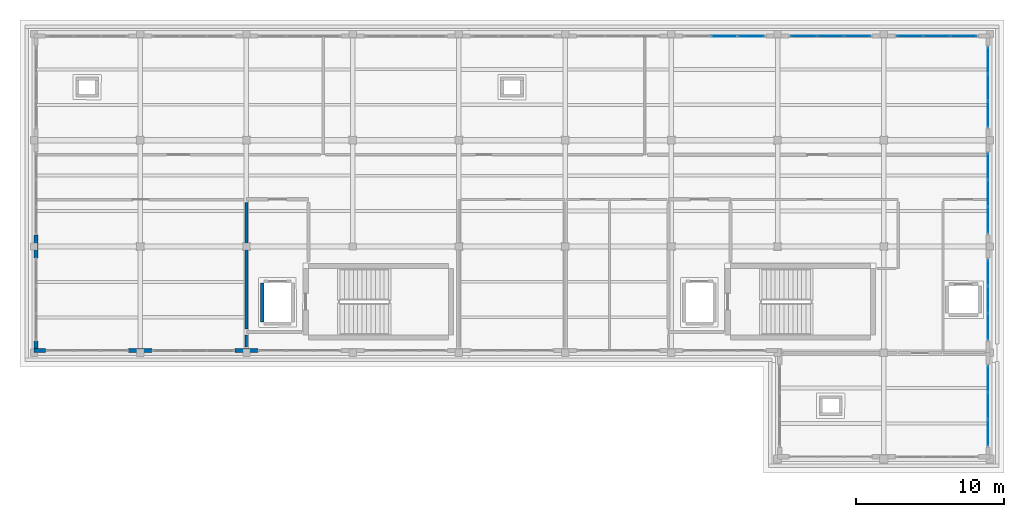
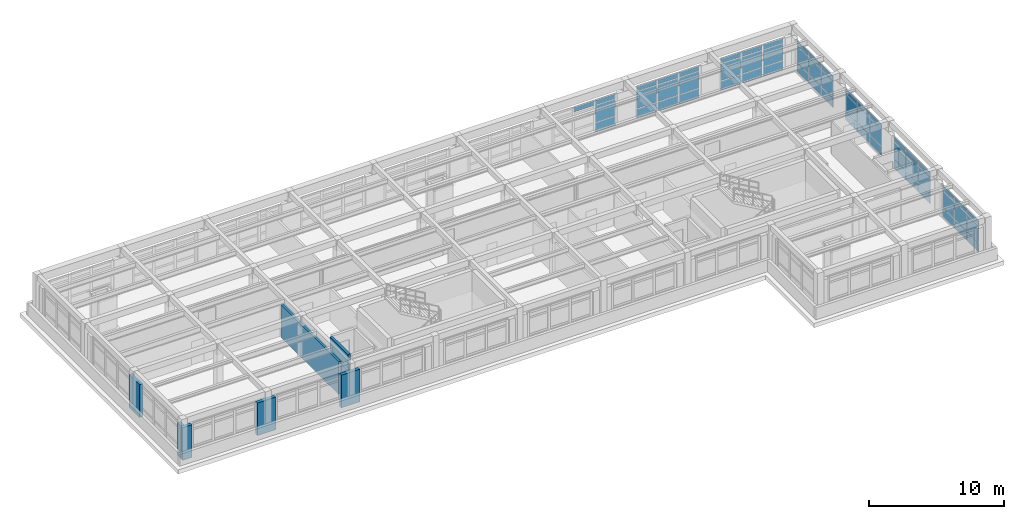
# One storey, part 14 of 20: 58 plates, 8 walls, 7 elements without a shape of their own.
"""IFC4 building model written with IfcOpenShell, lengths in metres."""

from ifc_helpers import new_model, si_unit, direction, frame, frame_2d, origin, origin_2d, place, context, subcontext, project, spatial, rectangle, extrude, material, layer, layer_set, type_object, element, aggregate, save


model = new_model("IFC4")

# Units and contexts
model_context = context("Model", 3, precision=1e-05, world=origin(), true_north=direction((0.0, 1.0)))
body_context = subcontext(model_context, "Body", "Model", "MODEL_VIEW")
ifc_project = project(units=[si_unit("LENGTHUNIT", "METRE"), si_unit("AREAUNIT", "SQUARE_METRE"), si_unit("VOLUMEUNIT", "CUBIC_METRE"), si_unit("PLANEANGLEUNIT", "RADIAN"), si_unit("MASSUNIT", "GRAM", prefix="KILO")], contexts=[model_context])

# Site, building, storey
site_placement = place(None, origin())
site = spatial("IfcSite", under=ifc_project, at=site_placement, CompositionType="ELEMENT")
building_placement = place(site_placement, origin())
building = spatial("IfcBuilding", under=site, at=building_placement, Name="Solenvale Faculty of Natural Sciences", CompositionType="ELEMENT")
storey_placement = place(building_placement, frame((0.0, 0.0, 35.39990234375)))
storey = spatial("IfcBuildingStorey", under=building, at=storey_placement, Name="L08", CompositionType="ELEMENT", Elevation=35.39990234375)

# Curtain wall, plates
ifc_material_1 = material(Name="Anodised bronze aluminium", Category="aluminium")
ifc_layer_1 = layer(ifc_material_1, 0.179931640625)
ifc_layer_set_1 = layer_set([ifc_layer_1], Name="Anodised bronze aluminium")
curtain_wall_type = type_object("IfcCurtainWallType", Name="CW-TWR-MOD", PredefinedType="USERDEFINED", material=ifc_layer_set_1)
curtain_wall_1_placement = place(storey_placement, origin())
curtain_wall_1 = element("IfcCurtainWall", 1, at=curtain_wall_1_placement, inside=storey, type_object=curtain_wall_type, Name="L08 Curtain Wall CW-L08-P1-E7-B1", ObjectType="UNITISED CURTAIN WALL", PredefinedType="USERDEFINED")
ifc_material_2 = material(Name="Triple low-E insulated glass", Category="glass")
ifc_layer_2 = layer(ifc_material_2, 0.031982421875)
ifc_layer_set_2 = layer_set([ifc_layer_2], Name="Triple low-E insulated glass")
plate_type_1 = type_object("IfcPlateType", Name="CWP-PNL-32", PredefinedType="CURTAIN_PANEL", material=ifc_layer_set_2)
plate_1_placement = place(storey_placement, frame((151.0576171875, 88.185302734375, 0.074951171875), z_axis=(0.0, 0.0, 1.0), x_axis=(0.0, 1.0, 0.0)))
plate_1 = element("IfcPlate", 2, at=plate_1_placement, type_object=plate_type_1, Name="CW-04 panel 1.1", PredefinedType="CURTAIN_PANEL", context=body_context, shape_type="SweptSolid", body=[
    extrude(rectangle(XDim=1.720947265625, YDim=0.031982421875, at=origin_2d()), origin(), (0.0, 0.0, 1.0), 0.78759765625),
])
plate_2_placement = place(storey_placement, frame((151.0576171875, 88.185302734375, 0.9375), z_axis=(0.0, 0.0, 1.0), x_axis=(0.0, 1.0, 0.0)))
plate_2 = element("IfcPlate", 3, at=plate_2_placement, type_object=plate_type_1, Name="CW-04 panel 1.2", PredefinedType="CURTAIN_PANEL", context=body_context, shape_type="SweptSolid", body=[
    extrude(rectangle(XDim=1.720947265625, YDim=0.031982421875, at=origin_2d()), origin(), (0.0, 0.0, 1.0), 1.485107421875),
])
plate_3_placement = place(storey_placement, frame((151.0576171875, 88.185302734375, 2.49755859375), z_axis=(0.0, 0.0, 1.0), x_axis=(0.0, 1.0, 0.0)))
plate_3 = element("IfcPlate", 4, at=plate_3_placement, type_object=plate_type_1, Name="CW-04 panel 1.3", PredefinedType="CURTAIN_PANEL", context=body_context, shape_type="SweptSolid", body=[
    extrude(rectangle(XDim=1.720947265625, YDim=0.031982421875, at=origin_2d()), origin(), (0.0, 0.0, 1.0), 0.387451171875),
])
plate_4_placement = place(storey_placement, frame((151.0576171875, 90.0, 0.074951171875), z_axis=(0.0, 0.0, 1.0), x_axis=(0.0, 1.0, 0.0)))
plate_4 = element("IfcPlate", 5, at=plate_4_placement, type_object=plate_type_1, Name="CW-04 panel 2.1", PredefinedType="CURTAIN_PANEL", context=body_context, shape_type="SweptSolid", body=[
    extrude(rectangle(XDim=1.75830078125, YDim=0.031982421875, at=origin_2d()), origin(), (0.0, 0.0, 1.0), 0.78759765625),
])
plate_5_placement = place(storey_placement, frame((151.0576171875, 90.0, 0.9375), z_axis=(0.0, 0.0, 1.0), x_axis=(0.0, 1.0, 0.0)))
plate_5 = element("IfcPlate", 6, at=plate_5_placement, type_object=plate_type_1, Name="CW-04 panel 2.2", PredefinedType="CURTAIN_PANEL", context=body_context, shape_type="SweptSolid", body=[
    extrude(rectangle(XDim=1.75830078125, YDim=0.031982421875, at=origin_2d()), origin(), (0.0, 0.0, 1.0), 1.485107421875),
])
plate_6_placement = place(storey_placement, frame((151.0576171875, 90.0, 2.49755859375), z_axis=(0.0, 0.0, 1.0), x_axis=(0.0, 1.0, 0.0)))
plate_6 = element("IfcPlate", 7, at=plate_6_placement, type_object=plate_type_1, Name="CW-04 panel 2.3", PredefinedType="CURTAIN_PANEL", context=body_context, shape_type="SweptSolid", body=[
    extrude(rectangle(XDim=1.75830078125, YDim=0.031982421875, at=origin_2d()), origin(), (0.0, 0.0, 1.0), 0.387451171875),
])
plate_7_placement = place(storey_placement, frame((151.0576171875, 91.814697265625, 0.074951171875), z_axis=(0.0, 0.0, 1.0), x_axis=(0.0, 1.0, 0.0)))
plate_7 = element("IfcPlate", 8, at=plate_7_placement, type_object=plate_type_1, Name="CW-04 panel 3.1", PredefinedType="CURTAIN_PANEL", context=body_context, shape_type="SweptSolid", body=[
    extrude(rectangle(XDim=1.720947265625, YDim=0.031982421875, at=origin_2d()), origin(), (0.0, 0.0, 1.0), 0.78759765625),
])
plate_8_placement = place(storey_placement, frame((151.0576171875, 91.814697265625, 0.9375), z_axis=(0.0, 0.0, 1.0), x_axis=(0.0, 1.0, 0.0)))
plate_8 = element("IfcPlate", 9, at=plate_8_placement, type_object=plate_type_1, Name="CW-04 panel 3.2", PredefinedType="CURTAIN_PANEL", context=body_context, shape_type="SweptSolid", body=[
    extrude(rectangle(XDim=1.720947265625, YDim=0.031982421875, at=origin_2d()), origin(), (0.0, 0.0, 1.0), 1.485107421875),
])
plate_9_placement = place(storey_placement, frame((151.0576171875, 91.814697265625, 2.49755859375), z_axis=(0.0, 0.0, 1.0), x_axis=(0.0, 1.0, 0.0)))
plate_9 = element("IfcPlate", 10, at=plate_9_placement, type_object=plate_type_1, Name="CW-04 panel 3.3", PredefinedType="CURTAIN_PANEL", context=body_context, shape_type="SweptSolid", body=[
    extrude(rectangle(XDim=1.720947265625, YDim=0.031982421875, at=origin_2d()), origin(), (0.0, 0.0, 1.0), 0.387451171875),
])
aggregate(curtain_wall_1, [plate_1, plate_2, plate_3, plate_4, plate_5, plate_6, plate_7, plate_8, plate_9])

curtain_wall_2_placement = place(storey_placement, origin())
curtain_wall_2 = element("IfcCurtainWall", 11, at=curtain_wall_2_placement, inside=storey, type_object=curtain_wall_type, Name="L08 Curtain Wall CW-L08-P1-E1-B1", ObjectType="UNITISED CURTAIN WALL", PredefinedType="USERDEFINED")
ifc_layer_3 = layer(ifc_material_2, 0.0400390625)
ifc_layer_set_3 = layer_set([ifc_layer_3], Name="Triple low-E insulated glass")
plate_type_2 = type_object("IfcPlateType", Name="CWP-PNL-40", PredefinedType="CURTAIN_PANEL", material=ifc_layer_set_3)
plate_10_placement = place(storey_placement, frame((151.0576171875, 95.385498046875, 0.074951171875), z_axis=(0.0, 0.0, 1.0), x_axis=(0.0, 1.0, 0.0)))
plate_10 = element("IfcPlate", 12, at=plate_10_placement, type_object=plate_type_2, Name="CW-04 panel 1.1", PredefinedType="CURTAIN_PANEL", context=body_context, shape_type="SweptSolid", body=[
    extrude(rectangle(XDim=1.720947265625, YDim=0.0400390625, at=origin_2d()), origin(), (0.0, 0.0, 1.0), 0.78759765625),
])
plate_11_placement = place(storey_placement, frame((151.0576171875, 95.385498046875, 0.9375), z_axis=(0.0, 0.0, 1.0), x_axis=(0.0, 1.0, 0.0)))
plate_11 = element("IfcPlate", 13, at=plate_11_placement, type_object=plate_type_2, Name="CW-04 panel 1.2", PredefinedType="CURTAIN_PANEL", context=body_context, shape_type="SweptSolid", body=[
    extrude(rectangle(XDim=1.720947265625, YDim=0.0400390625, at=origin_2d()), origin(), (0.0, 0.0, 1.0), 1.485107421875),
])
plate_12_placement = place(storey_placement, frame((151.0576171875, 95.385498046875, 2.49755859375), z_axis=(0.0, 0.0, 1.0), x_axis=(0.0, 1.0, 0.0)))
plate_12 = element("IfcPlate", 14, at=plate_12_placement, type_object=plate_type_2, Name="CW-04 panel 1.3", PredefinedType="CURTAIN_PANEL", context=body_context, shape_type="SweptSolid", body=[
    extrude(rectangle(XDim=1.720947265625, YDim=0.0400390625, at=origin_2d()), origin(), (0.0, 0.0, 1.0), 0.387451171875),
])
plate_13_placement = place(storey_placement, frame((151.0576171875, 97.199951171875, 0.074951171875), z_axis=(0.0, 0.0, 1.0), x_axis=(0.0, 1.0, 0.0)))
plate_13 = element("IfcPlate", 15, at=plate_13_placement, type_object=plate_type_2, Name="CW-04 panel 2.1", PredefinedType="CURTAIN_PANEL", context=body_context, shape_type="SweptSolid", body=[
    extrude(rectangle(XDim=1.75830078125, YDim=0.0400390625, at=origin_2d()), origin(), (0.0, 0.0, 1.0), 0.78759765625),
])
plate_14_placement = place(storey_placement, frame((151.0576171875, 97.199951171875, 0.9375), z_axis=(0.0, 0.0, 1.0), x_axis=(0.0, 1.0, 0.0)))
plate_14 = element("IfcPlate", 16, at=plate_14_placement, type_object=plate_type_2, Name="CW-04 panel 2.2", PredefinedType="CURTAIN_PANEL", context=body_context, shape_type="SweptSolid", body=[
    extrude(rectangle(XDim=1.75830078125, YDim=0.0400390625, at=origin_2d()), origin(), (0.0, 0.0, 1.0), 1.485107421875),
])
plate_15_placement = place(storey_placement, frame((151.0576171875, 97.199951171875, 2.49755859375), z_axis=(0.0, 0.0, 1.0), x_axis=(0.0, 1.0, 0.0)))
plate_15 = element("IfcPlate", 17, at=plate_15_placement, type_object=plate_type_2, Name="CW-04 panel 2.3", PredefinedType="CURTAIN_PANEL", context=body_context, shape_type="SweptSolid", body=[
    extrude(rectangle(XDim=1.75830078125, YDim=0.0400390625, at=origin_2d()), origin(), (0.0, 0.0, 1.0), 0.387451171875),
])
plate_16_placement = place(storey_placement, frame((151.0576171875, 99.0146484375, 0.074951171875), z_axis=(0.0, 0.0, 1.0), x_axis=(0.0, 1.0, 0.0)))
plate_16 = element("IfcPlate", 18, at=plate_16_placement, type_object=plate_type_2, Name="CW-04 panel 3.1", PredefinedType="CURTAIN_PANEL", context=body_context, shape_type="SweptSolid", body=[
    extrude(rectangle(XDim=1.720947265625, YDim=0.0400390625, at=origin_2d()), origin(), (0.0, 0.0, 1.0), 0.78759765625),
])
plate_17_placement = place(storey_placement, frame((151.0576171875, 99.0146484375, 0.9375), z_axis=(0.0, 0.0, 1.0), x_axis=(0.0, 1.0, 0.0)))
plate_17 = element("IfcPlate", 19, at=plate_17_placement, type_object=plate_type_2, Name="CW-04 panel 3.2", PredefinedType="CURTAIN_PANEL", context=body_context, shape_type="SweptSolid", body=[
    extrude(rectangle(XDim=1.720947265625, YDim=0.0400390625, at=origin_2d()), origin(), (0.0, 0.0, 1.0), 1.485107421875),
])
plate_18_placement = place(storey_placement, frame((151.0576171875, 99.0146484375, 2.49755859375), z_axis=(0.0, 0.0, 1.0), x_axis=(0.0, 1.0, 0.0)))
plate_18 = element("IfcPlate", 20, at=plate_18_placement, type_object=plate_type_2, Name="CW-04 panel 3.3", PredefinedType="CURTAIN_PANEL", context=body_context, shape_type="SweptSolid", body=[
    extrude(rectangle(XDim=1.720947265625, YDim=0.0400390625, at=origin_2d()), origin(), (0.0, 0.0, 1.0), 0.387451171875),
])
aggregate(curtain_wall_2, [plate_10, plate_11, plate_12, plate_13, plate_14, plate_15, plate_16, plate_17, plate_18])

curtain_wall_3_placement = place(storey_placement, origin())
curtain_wall_3 = element("IfcCurtainWall", 21, at=curtain_wall_3_placement, inside=storey, type_object=curtain_wall_type, Name="L08 Curtain Wall CW-L08-P1-E1-B2", ObjectType="UNITISED CURTAIN WALL", PredefinedType="USERDEFINED")
ifc_layer_4 = layer(ifc_material_2, 0.0439453125)
ifc_layer_set_4 = layer_set([ifc_layer_4], Name="Triple low-E insulated glass")
plate_type_3 = type_object("IfcPlateType", Name="CWP-PNL-44", PredefinedType="CURTAIN_PANEL", material=ifc_layer_set_4)
plate_19_placement = place(storey_placement, frame((151.0576171875, 102.58544921875, 0.074951171875), z_axis=(0.0, 0.0, 1.0), x_axis=(0.0, 1.0, 0.0)))
plate_19 = element("IfcPlate", 22, at=plate_19_placement, type_object=plate_type_3, Name="CW-04 panel 1.1", PredefinedType="CURTAIN_PANEL", context=body_context, shape_type="SweptSolid", body=[
    extrude(rectangle(XDim=1.720947265625, YDim=0.0439453125, at=origin_2d()), origin(), (0.0, 0.0, 1.0), 0.78759765625),
])
plate_20_placement = place(storey_placement, frame((151.0576171875, 102.58544921875, 0.9375), z_axis=(0.0, 0.0, 1.0), x_axis=(0.0, 1.0, 0.0)))
plate_20 = element("IfcPlate", 23, at=plate_20_placement, type_object=plate_type_3, Name="CW-04 panel 1.2", PredefinedType="CURTAIN_PANEL", context=body_context, shape_type="SweptSolid", body=[
    extrude(rectangle(XDim=1.720947265625, YDim=0.0439453125, at=origin_2d()), origin(), (0.0, 0.0, 1.0), 1.485107421875),
])
plate_21_placement = place(storey_placement, frame((151.0576171875, 102.58544921875, 2.49755859375), z_axis=(0.0, 0.0, 1.0), x_axis=(0.0, 1.0, 0.0)))
plate_21 = element("IfcPlate", 24, at=plate_21_placement, type_object=plate_type_3, Name="CW-04 panel 1.3", PredefinedType="CURTAIN_PANEL", context=body_context, shape_type="SweptSolid", body=[
    extrude(rectangle(XDim=1.720947265625, YDim=0.0439453125, at=origin_2d()), origin(), (0.0, 0.0, 1.0), 0.387451171875),
])
plate_22_placement = place(storey_placement, frame((151.0576171875, 104.39990234375, 0.074951171875), z_axis=(0.0, 0.0, 1.0), x_axis=(0.0, 1.0, 0.0)))
plate_22 = element("IfcPlate", 25, at=plate_22_placement, type_object=plate_type_3, Name="CW-04 panel 2.1", PredefinedType="CURTAIN_PANEL", context=body_context, shape_type="SweptSolid", body=[
    extrude(rectangle(XDim=1.75830078125, YDim=0.0439453125, at=origin_2d()), origin(), (0.0, 0.0, 1.0), 0.78759765625),
])
plate_23_placement = place(storey_placement, frame((151.0576171875, 104.39990234375, 0.9375), z_axis=(0.0, 0.0, 1.0), x_axis=(0.0, 1.0, 0.0)))
plate_23 = element("IfcPlate", 26, at=plate_23_placement, type_object=plate_type_3, Name="CW-04 panel 2.2", PredefinedType="CURTAIN_PANEL", context=body_context, shape_type="SweptSolid", body=[
    extrude(rectangle(XDim=1.75830078125, YDim=0.0439453125, at=origin_2d()), origin(), (0.0, 0.0, 1.0), 1.485107421875),
])
plate_24_placement = place(storey_placement, frame((151.0576171875, 104.39990234375, 2.49755859375), z_axis=(0.0, 0.0, 1.0), x_axis=(0.0, 1.0, 0.0)))
plate_24 = element("IfcPlate", 27, at=plate_24_placement, type_object=plate_type_3, Name="CW-04 panel 2.3", PredefinedType="CURTAIN_PANEL", context=body_context, shape_type="SweptSolid", body=[
    extrude(rectangle(XDim=1.75830078125, YDim=0.0439453125, at=origin_2d()), origin(), (0.0, 0.0, 1.0), 0.387451171875),
])
plate_25_placement = place(storey_placement, frame((151.0576171875, 106.214599609375, 0.074951171875), z_axis=(0.0, 0.0, 1.0), x_axis=(0.0, 1.0, 0.0)))
plate_25 = element("IfcPlate", 28, at=plate_25_placement, type_object=plate_type_3, Name="CW-04 panel 3.1", PredefinedType="CURTAIN_PANEL", context=body_context, shape_type="SweptSolid", body=[
    extrude(rectangle(XDim=1.720947265625, YDim=0.0439453125, at=origin_2d()), origin(), (0.0, 0.0, 1.0), 0.78759765625),
])
plate_26_placement = place(storey_placement, frame((151.0576171875, 106.214599609375, 0.9375), z_axis=(0.0, 0.0, 1.0), x_axis=(0.0, 1.0, 0.0)))
plate_26 = element("IfcPlate", 29, at=plate_26_placement, type_object=plate_type_3, Name="CW-04 panel 3.2", PredefinedType="CURTAIN_PANEL", context=body_context, shape_type="SweptSolid", body=[
    extrude(rectangle(XDim=1.720947265625, YDim=0.0439453125, at=origin_2d()), origin(), (0.0, 0.0, 1.0), 1.485107421875),
])
plate_27_placement = place(storey_placement, frame((151.0576171875, 106.214599609375, 2.49755859375), z_axis=(0.0, 0.0, 1.0), x_axis=(0.0, 1.0, 0.0)))
plate_27 = element("IfcPlate", 30, at=plate_27_placement, type_object=plate_type_3, Name="CW-04 panel 3.3", PredefinedType="CURTAIN_PANEL", context=body_context, shape_type="SweptSolid", body=[
    extrude(rectangle(XDim=1.720947265625, YDim=0.0439453125, at=origin_2d()), origin(), (0.0, 0.0, 1.0), 0.387451171875),
])
aggregate(curtain_wall_3, [plate_19, plate_20, plate_21, plate_22, plate_23, plate_24, plate_25, plate_26, plate_27])

curtain_wall_4_placement = place(storey_placement, origin())
curtain_wall_4 = element("IfcCurtainWall", 31, at=curtain_wall_4_placement, inside=storey, type_object=curtain_wall_type, Name="L08 Curtain Wall CW-L08-P1-E2-B1", ObjectType="UNITISED CURTAIN WALL", PredefinedType="USERDEFINED")
plate_28_placement = place(storey_placement, frame((149.41455078125, 115.0576171875, 0.074951171875), z_axis=(0.0, 0.0, 1.0), x_axis=(-1.0, 0.0, 0.0)))
plate_28 = element("IfcPlate", 32, at=plate_28_placement, type_object=plate_type_3, Name="CW-04 panel 1.1", PredefinedType="CURTAIN_PANEL", context=body_context, shape_type="SweptSolid", body=[
    extrude(rectangle(XDim=1.720947265625, YDim=0.0439453125, at=origin_2d()), origin(), (0.0, 0.0, 1.0), 0.78759765625),
])
plate_29_placement = place(storey_placement, frame((149.41455078125, 115.0576171875, 0.9375), z_axis=(0.0, 0.0, 1.0), x_axis=(-1.0, 0.0, 0.0)))
plate_29 = element("IfcPlate", 33, at=plate_29_placement, type_object=plate_type_3, Name="CW-04 panel 1.2", PredefinedType="CURTAIN_PANEL", context=body_context, shape_type="SweptSolid", body=[
    extrude(rectangle(XDim=1.720947265625, YDim=0.0439453125, at=origin_2d()), origin(), (0.0, 0.0, 1.0), 1.485107421875),
])
plate_30_placement = place(storey_placement, frame((149.41455078125, 115.0576171875, 2.49755859375), z_axis=(0.0, 0.0, 1.0), x_axis=(-1.0, 0.0, 0.0)))
plate_30 = element("IfcPlate", 34, at=plate_30_placement, type_object=plate_type_3, Name="CW-04 panel 1.3", PredefinedType="CURTAIN_PANEL", context=body_context, shape_type="SweptSolid", body=[
    extrude(rectangle(XDim=1.720947265625, YDim=0.0439453125, at=origin_2d()), origin(), (0.0, 0.0, 1.0), 0.387451171875),
])
plate_31_placement = place(storey_placement, frame((147.60009765625, 115.0576171875, 0.074951171875), z_axis=(0.0, 0.0, 1.0), x_axis=(-1.0, 0.0, 0.0)))
plate_31 = element("IfcPlate", 35, at=plate_31_placement, type_object=plate_type_3, Name="CW-04 panel 2.1", PredefinedType="CURTAIN_PANEL", context=body_context, shape_type="SweptSolid", body=[
    extrude(rectangle(XDim=1.75830078125, YDim=0.0439453125, at=origin_2d()), origin(), (0.0, 0.0, 1.0), 0.78759765625),
])
plate_32_placement = place(storey_placement, frame((147.60009765625, 115.0576171875, 0.9375), z_axis=(0.0, 0.0, 1.0), x_axis=(-1.0, 0.0, 0.0)))
plate_32 = element("IfcPlate", 36, at=plate_32_placement, type_object=plate_type_3, Name="CW-04 panel 2.2", PredefinedType="CURTAIN_PANEL", context=body_context, shape_type="SweptSolid", body=[
    extrude(rectangle(XDim=1.75830078125, YDim=0.0439453125, at=origin_2d()), origin(), (0.0, 0.0, 1.0), 1.485107421875),
])
plate_33_placement = place(storey_placement, frame((147.60009765625, 115.0576171875, 2.49755859375), z_axis=(0.0, 0.0, 1.0), x_axis=(-1.0, 0.0, 0.0)))
plate_33 = element("IfcPlate", 37, at=plate_33_placement, type_object=plate_type_3, Name="CW-04 panel 2.3", PredefinedType="CURTAIN_PANEL", context=body_context, shape_type="SweptSolid", body=[
    extrude(rectangle(XDim=1.75830078125, YDim=0.0439453125, at=origin_2d()), origin(), (0.0, 0.0, 1.0), 0.387451171875),
])
plate_34_placement = place(storey_placement, frame((145.785400390625, 115.0576171875, 0.074951171875), z_axis=(0.0, 0.0, 1.0), x_axis=(-1.0, 0.0, 0.0)))
plate_34 = element("IfcPlate", 38, at=plate_34_placement, type_object=plate_type_3, Name="CW-04 panel 3.1", PredefinedType="CURTAIN_PANEL", context=body_context, shape_type="SweptSolid", body=[
    extrude(rectangle(XDim=1.720947265625, YDim=0.0439453125, at=origin_2d()), origin(), (0.0, 0.0, 1.0), 0.78759765625),
])
plate_35_placement = place(storey_placement, frame((145.785400390625, 115.0576171875, 0.9375), z_axis=(0.0, 0.0, 1.0), x_axis=(-1.0, 0.0, 0.0)))
plate_35 = element("IfcPlate", 39, at=plate_35_placement, type_object=plate_type_3, Name="CW-04 panel 3.2", PredefinedType="CURTAIN_PANEL", context=body_context, shape_type="SweptSolid", body=[
    extrude(rectangle(XDim=1.720947265625, YDim=0.0439453125, at=origin_2d()), origin(), (0.0, 0.0, 1.0), 1.485107421875),
])
plate_36_placement = place(storey_placement, frame((145.785400390625, 115.0576171875, 2.49755859375), z_axis=(0.0, 0.0, 1.0), x_axis=(-1.0, 0.0, 0.0)))
plate_36 = element("IfcPlate", 40, at=plate_36_placement, type_object=plate_type_3, Name="CW-04 panel 3.3", PredefinedType="CURTAIN_PANEL", context=body_context, shape_type="SweptSolid", body=[
    extrude(rectangle(XDim=1.720947265625, YDim=0.0439453125, at=origin_2d()), origin(), (0.0, 0.0, 1.0), 0.387451171875),
])
aggregate(curtain_wall_4, [plate_28, plate_29, plate_30, plate_31, plate_32, plate_33, plate_34, plate_35, plate_36])

curtain_wall_5_placement = place(storey_placement, origin())
curtain_wall_5 = element("IfcCurtainWall", 41, at=curtain_wall_5_placement, inside=storey, type_object=curtain_wall_type, Name="L08 Curtain Wall CW-L08-P1-E1-B3", ObjectType="UNITISED CURTAIN WALL", PredefinedType="USERDEFINED")
ifc_layer_5 = layer(ifc_material_1, 0.048095703125)
ifc_layer_set_5 = layer_set([ifc_layer_5], Name="Anodised bronze aluminium")
plate_type_4 = type_object("IfcPlateType", Name="CWP-PNL-48", PredefinedType="CURTAIN_PANEL", material=ifc_layer_set_5)
plate_37_placement = place(storey_placement, frame((151.0576171875, 109.785400390625, 0.074951171875), z_axis=(0.0, 0.0, 1.0), x_axis=(0.0, 1.0, 0.0)))
plate_37 = element("IfcPlate", 42, at=plate_37_placement, type_object=plate_type_4, Name="CW-04 panel 1.1", PredefinedType="CURTAIN_PANEL", context=body_context, shape_type="SweptSolid", body=[
    extrude(rectangle(XDim=1.720947265625, YDim=0.048095703125, at=origin_2d()), origin(), (0.0, 0.0, 1.0), 0.78759765625),
])
plate_38_placement = place(storey_placement, frame((151.0576171875, 109.785400390625, 0.9375), z_axis=(0.0, 0.0, 1.0), x_axis=(0.0, 1.0, 0.0)))
plate_38 = element("IfcPlate", 43, at=plate_38_placement, type_object=plate_type_4, Name="CW-04 panel 1.2", PredefinedType="CURTAIN_PANEL", context=body_context, shape_type="SweptSolid", body=[
    extrude(rectangle(XDim=1.720947265625, YDim=0.048095703125, at=origin_2d()), origin(), (0.0, 0.0, 1.0), 1.485107421875),
])
plate_39_placement = place(storey_placement, frame((151.0576171875, 109.785400390625, 2.49755859375), z_axis=(0.0, 0.0, 1.0), x_axis=(0.0, 1.0, 0.0)))
plate_39 = element("IfcPlate", 44, at=plate_39_placement, type_object=plate_type_4, Name="CW-04 panel 1.3", PredefinedType="CURTAIN_PANEL", context=body_context, shape_type="SweptSolid", body=[
    extrude(rectangle(XDim=1.720947265625, YDim=0.048095703125, at=origin_2d()), origin(), (0.0, 0.0, 1.0), 0.387451171875),
])
plate_40_placement = place(storey_placement, frame((151.0576171875, 111.60009765625, 0.074951171875), z_axis=(0.0, 0.0, 1.0), x_axis=(0.0, 1.0, 0.0)))
plate_40 = element("IfcPlate", 45, at=plate_40_placement, type_object=plate_type_4, Name="CW-04 panel 2.1", PredefinedType="CURTAIN_PANEL", context=body_context, shape_type="SweptSolid", body=[
    extrude(rectangle(XDim=1.75830078125, YDim=0.048095703125, at=origin_2d()), origin(), (0.0, 0.0, 1.0), 0.78759765625),
])
plate_41_placement = place(storey_placement, frame((151.0576171875, 111.60009765625, 0.9375), z_axis=(0.0, 0.0, 1.0), x_axis=(0.0, 1.0, 0.0)))
plate_41 = element("IfcPlate", 46, at=plate_41_placement, type_object=plate_type_4, Name="CW-04 panel 2.2", PredefinedType="CURTAIN_PANEL", context=body_context, shape_type="SweptSolid", body=[
    extrude(rectangle(XDim=1.75830078125, YDim=0.048095703125, at=origin_2d()), origin(), (0.0, 0.0, 1.0), 1.485107421875),
])
plate_42_placement = place(storey_placement, frame((151.0576171875, 111.60009765625, 2.49755859375), z_axis=(0.0, 0.0, 1.0), x_axis=(0.0, 1.0, 0.0)))
plate_42 = element("IfcPlate", 47, at=plate_42_placement, type_object=plate_type_4, Name="CW-04 panel 2.3", PredefinedType="CURTAIN_PANEL", context=body_context, shape_type="SweptSolid", body=[
    extrude(rectangle(XDim=1.75830078125, YDim=0.048095703125, at=origin_2d()), origin(), (0.0, 0.0, 1.0), 0.387451171875),
])
plate_43_placement = place(storey_placement, frame((151.0576171875, 113.41455078125, 0.074951171875), z_axis=(0.0, 0.0, 1.0), x_axis=(0.0, 1.0, 0.0)))
plate_43 = element("IfcPlate", 48, at=plate_43_placement, type_object=plate_type_4, Name="CW-04 panel 3.1", PredefinedType="CURTAIN_PANEL", context=body_context, shape_type="SweptSolid", body=[
    extrude(rectangle(XDim=1.720947265625, YDim=0.048095703125, at=origin_2d()), origin(), (0.0, 0.0, 1.0), 0.78759765625),
])
plate_44_placement = place(storey_placement, frame((151.0576171875, 113.41455078125, 0.9375), z_axis=(0.0, 0.0, 1.0), x_axis=(0.0, 1.0, 0.0)))
plate_44 = element("IfcPlate", 49, at=plate_44_placement, type_object=plate_type_4, Name="CW-04 panel 3.2", PredefinedType="CURTAIN_PANEL", context=body_context, shape_type="SweptSolid", body=[
    extrude(rectangle(XDim=1.720947265625, YDim=0.048095703125, at=origin_2d()), origin(), (0.0, 0.0, 1.0), 1.485107421875),
])
plate_45_placement = place(storey_placement, frame((151.0576171875, 113.41455078125, 2.49755859375), z_axis=(0.0, 0.0, 1.0), x_axis=(0.0, 1.0, 0.0)))
plate_45 = element("IfcPlate", 50, at=plate_45_placement, type_object=plate_type_4, Name="CW-04 panel 3.3", PredefinedType="CURTAIN_PANEL", context=body_context, shape_type="SweptSolid", body=[
    extrude(rectangle(XDim=1.720947265625, YDim=0.048095703125, at=origin_2d()), origin(), (0.0, 0.0, 1.0), 0.387451171875),
])
aggregate(curtain_wall_5, [plate_37, plate_38, plate_39, plate_40, plate_41, plate_42, plate_43, plate_44, plate_45])

curtain_wall_6_placement = place(storey_placement, origin())
curtain_wall_6 = element("IfcCurtainWall", 51, at=curtain_wall_6_placement, inside=storey, type_object=curtain_wall_type, Name="L08 Curtain Wall CW-L08-P1-E2-B2", ObjectType="UNITISED CURTAIN WALL", PredefinedType="USERDEFINED")
plate_46_placement = place(storey_placement, frame((142.214599609375, 115.0576171875, 0.074951171875), z_axis=(0.0, 0.0, 1.0), x_axis=(-1.0, 0.0, 0.0)))
plate_46 = element("IfcPlate", 52, at=plate_46_placement, type_object=plate_type_4, Name="CW-04 panel 1.1", PredefinedType="CURTAIN_PANEL", context=body_context, shape_type="SweptSolid", body=[
    extrude(rectangle(XDim=1.720947265625, YDim=0.048095703125, at=origin_2d()), origin(), (0.0, 0.0, 1.0), 0.78759765625),
])
plate_47_placement = place(storey_placement, frame((142.214599609375, 115.0576171875, 0.9375), z_axis=(0.0, 0.0, 1.0), x_axis=(-1.0, 0.0, 0.0)))
plate_47 = element("IfcPlate", 53, at=plate_47_placement, type_object=plate_type_4, Name="CW-04 panel 1.2", PredefinedType="CURTAIN_PANEL", context=body_context, shape_type="SweptSolid", body=[
    extrude(rectangle(XDim=1.720947265625, YDim=0.048095703125, at=origin_2d()), origin(), (0.0, 0.0, 1.0), 1.485107421875),
])
plate_48_placement = place(storey_placement, frame((142.214599609375, 115.0576171875, 2.49755859375), z_axis=(0.0, 0.0, 1.0), x_axis=(-1.0, 0.0, 0.0)))
plate_48 = element("IfcPlate", 54, at=plate_48_placement, type_object=plate_type_4, Name="CW-04 panel 1.3", PredefinedType="CURTAIN_PANEL", context=body_context, shape_type="SweptSolid", body=[
    extrude(rectangle(XDim=1.720947265625, YDim=0.048095703125, at=origin_2d()), origin(), (0.0, 0.0, 1.0), 0.387451171875),
])
plate_49_placement = place(storey_placement, frame((140.39990234375, 115.0576171875, 0.074951171875), z_axis=(0.0, 0.0, 1.0), x_axis=(-1.0, 0.0, 0.0)))
plate_49 = element("IfcPlate", 55, at=plate_49_placement, type_object=plate_type_4, Name="CW-04 panel 2.1", PredefinedType="CURTAIN_PANEL", context=body_context, shape_type="SweptSolid", body=[
    extrude(rectangle(XDim=1.75830078125, YDim=0.048095703125, at=origin_2d()), origin(), (0.0, 0.0, 1.0), 0.78759765625),
])
plate_50_placement = place(storey_placement, frame((140.39990234375, 115.0576171875, 0.9375), z_axis=(0.0, 0.0, 1.0), x_axis=(-1.0, 0.0, 0.0)))
plate_50 = element("IfcPlate", 56, at=plate_50_placement, type_object=plate_type_4, Name="CW-04 panel 2.2", PredefinedType="CURTAIN_PANEL", context=body_context, shape_type="SweptSolid", body=[
    extrude(rectangle(XDim=1.75830078125, YDim=0.048095703125, at=origin_2d()), origin(), (0.0, 0.0, 1.0), 1.485107421875),
])
plate_51_placement = place(storey_placement, frame((140.39990234375, 115.0576171875, 2.49755859375), z_axis=(0.0, 0.0, 1.0), x_axis=(-1.0, 0.0, 0.0)))
plate_51 = element("IfcPlate", 57, at=plate_51_placement, type_object=plate_type_4, Name="CW-04 panel 2.3", PredefinedType="CURTAIN_PANEL", context=body_context, shape_type="SweptSolid", body=[
    extrude(rectangle(XDim=1.75830078125, YDim=0.048095703125, at=origin_2d()), origin(), (0.0, 0.0, 1.0), 0.387451171875),
])
plate_52_placement = place(storey_placement, frame((138.58544921875, 115.0576171875, 0.074951171875), z_axis=(0.0, 0.0, 1.0), x_axis=(-1.0, 0.0, 0.0)))
plate_52 = element("IfcPlate", 58, at=plate_52_placement, type_object=plate_type_4, Name="CW-04 panel 3.1", PredefinedType="CURTAIN_PANEL", context=body_context, shape_type="SweptSolid", body=[
    extrude(rectangle(XDim=1.720947265625, YDim=0.048095703125, at=origin_2d()), origin(), (0.0, 0.0, 1.0), 0.78759765625),
])
plate_53_placement = place(storey_placement, frame((138.58544921875, 115.0576171875, 0.9375), z_axis=(0.0, 0.0, 1.0), x_axis=(-1.0, 0.0, 0.0)))
plate_53 = element("IfcPlate", 59, at=plate_53_placement, type_object=plate_type_4, Name="CW-04 panel 3.2", PredefinedType="CURTAIN_PANEL", context=body_context, shape_type="SweptSolid", body=[
    extrude(rectangle(XDim=1.720947265625, YDim=0.048095703125, at=origin_2d()), origin(), (0.0, 0.0, 1.0), 1.485107421875),
])
plate_54_placement = place(storey_placement, frame((138.58544921875, 115.0576171875, 2.49755859375), z_axis=(0.0, 0.0, 1.0), x_axis=(-1.0, 0.0, 0.0)))
plate_54 = element("IfcPlate", 60, at=plate_54_placement, type_object=plate_type_4, Name="CW-04 panel 3.3", PredefinedType="CURTAIN_PANEL", context=body_context, shape_type="SweptSolid", body=[
    extrude(rectangle(XDim=1.720947265625, YDim=0.048095703125, at=origin_2d()), origin(), (0.0, 0.0, 1.0), 0.387451171875),
])
aggregate(curtain_wall_6, [plate_46, plate_47, plate_48, plate_49, plate_50, plate_51, plate_52, plate_53, plate_54])

curtain_wall_7_placement = place(storey_placement, origin())
curtain_wall_7 = element("IfcCurtainWall", 61, at=curtain_wall_7_placement, inside=storey, type_object=curtain_wall_type, Name="L08 Curtain Wall CW-L08-P1-E2-B3", ObjectType="UNITISED CURTAIN WALL", PredefinedType="USERDEFINED")
ifc_layer_6 = layer(ifc_material_1, 0.053955078125)
ifc_layer_set_6 = layer_set([ifc_layer_6], Name="Anodised bronze aluminium")
plate_type_5 = type_object("IfcPlateType", Name="CWP-PNL-54", PredefinedType="CURTAIN_PANEL", material=ifc_layer_set_6)
plate_55_placement = place(storey_placement, frame((135.0146484375, 115.0576171875, 0.074951171875), z_axis=(0.0, 0.0, 1.0), x_axis=(-1.0, 0.0, 0.0)))
plate_55 = element("IfcPlate", 62, at=plate_55_placement, type_object=plate_type_5, Name="CW-04 panel 1.1", PredefinedType="CURTAIN_PANEL", context=body_context, shape_type="SweptSolid", body=[
    extrude(rectangle(XDim=1.720947265625, YDim=0.053955078125, at=origin_2d()), origin(), (0.0, 0.0, 1.0), 0.78759765625),
])
plate_56_placement = place(storey_placement, frame((135.0146484375, 115.0576171875, 0.9375), z_axis=(0.0, 0.0, 1.0), x_axis=(-1.0, 0.0, 0.0)))
plate_56 = element("IfcPlate", 63, at=plate_56_placement, type_object=plate_type_5, Name="CW-04 panel 1.2", PredefinedType="CURTAIN_PANEL", context=body_context, shape_type="SweptSolid", body=[
    extrude(rectangle(XDim=1.720947265625, YDim=0.053955078125, at=origin_2d()), origin(), (0.0, 0.0, 1.0), 1.485107421875),
])
plate_57_placement = place(storey_placement, frame((135.0146484375, 115.0576171875, 2.49755859375), z_axis=(0.0, 0.0, 1.0), x_axis=(-1.0, 0.0, 0.0)))
plate_57 = element("IfcPlate", 64, at=plate_57_placement, type_object=plate_type_5, Name="CW-04 panel 1.3", PredefinedType="CURTAIN_PANEL", context=body_context, shape_type="SweptSolid", body=[
    extrude(rectangle(XDim=1.720947265625, YDim=0.053955078125, at=origin_2d()), origin(), (0.0, 0.0, 1.0), 0.387451171875),
])
plate_58_placement = place(storey_placement, frame((133.199951171875, 115.0576171875, 2.49755859375), z_axis=(0.0, 0.0, 1.0), x_axis=(-1.0, 0.0, 0.0)))
plate_58 = element("IfcPlate", 65, at=plate_58_placement, type_object=plate_type_5, Name="CW-04 panel 2.3", PredefinedType="CURTAIN_PANEL", context=body_context, shape_type="SweptSolid", body=[
    extrude(rectangle(XDim=1.75830078125, YDim=0.053955078125, at=origin_2d()), origin(), (0.0, 0.0, 1.0), 0.387451171875),
])
aggregate(curtain_wall_7, [plate_55, plate_56, plate_57, plate_58])

# Walls
ifc_material_3 = material(Name="Precast concrete 40 MPa", Category="concrete")
ifc_layer_7 = layer(ifc_material_3, 0.284912109375)
ifc_layer_set_7 = layer_set([ifc_layer_7], Name="Precast concrete 40 MPa")
wall_type_1 = type_object("IfcWallType", Name="WL-EXT-PRC-285", PredefinedType="STANDARD", material=ifc_layer_set_7)
wall_1_placement = place(storey_placement, frame((86.54248046875, 101.587890625, 0.0), z_axis=(0.0, 0.0, 1.0), x_axis=(0.0, -1.0, 0.0)))
element("IfcWall", 66, at=wall_1_placement, inside=storey, type_object=wall_type_1, Name="L08 Facade Closure Pier 3.B2-R", PredefinedType="STANDARD", context=body_context, shape_type="SweptSolid", body=[
    extrude(rectangle(XDim=1.575927734375, YDim=0.284912109375, at=frame_2d((0.7880859375, 0.0))), origin(), (0.0, 0.0, 1.0), 2.960205078125),
])
wall_2_placement = place(storey_placement, frame((86.54248046875, 94.387939453125, 0.0), z_axis=(0.0, 0.0, 1.0), x_axis=(0.0, -1.0, 0.0)))
element("IfcWall", 67, at=wall_2_placement, inside=storey, type_object=wall_type_1, Name="L08 Facade Closure Pier 3.B3-R", PredefinedType="STANDARD", context=body_context, shape_type="SweptSolid", body=[
    extrude(rectangle(XDim=0.5029296875, YDim=0.284912109375, at=frame_2d((0.25146484375, 0.0))), origin(), (0.0, 0.0, 1.0), 2.960205078125),
])
wall_3_placement = place(storey_placement, frame((86.39990234375, 93.742431640625, 0.0), z_axis=(0.0, 0.0, 1.0), x_axis=(1.0, 0.0, 0.0)))
element("IfcWall", 68, at=wall_3_placement, inside=storey, type_object=wall_type_1, Name="L08 Facade Closure Pier 4.B1-L", PredefinedType="STANDARD", context=body_context, shape_type="SweptSolid", body=[
    extrude(rectangle(XDim=0.7880859375, YDim=0.284912109375, at=frame_2d((0.39404296875, 0.0))), origin(), (0.0, 0.0, 1.0), 2.960205078125),
])
for number, where, z_axis, x_axis, name in (
    (69, (92.81201171875, 93.742431640625, 0.0), (0.0, 0.0, 1.0), (1.0, 0.0, 0.0), "L08 Facade Closure Pier 4.B1-R"),
    (70, (100.011962890625, 93.742431640625, 0.0), (0.0, 0.0, 1.0), (1.0, 0.0, 0.0), "L08 Facade Closure Pier 4.B2-R"),
):
    element("IfcWall", number, at=place(storey_placement, frame(where, z_axis=z_axis, x_axis=x_axis)), inside=storey, type_object=wall_type_1, Name=name, PredefinedType="STANDARD", context=body_context, shape_type="SweptSolid", body=[
        extrude(rectangle(XDim=1.575927734375, YDim=0.284912109375, at=frame_2d((0.7880859375, 0.0))), origin(), (0.0, 0.0, 1.0), 2.960205078125),
    ])
ifc_material_4 = material(Name="Gypsum fire-rated shaftwall")
ifc_layer_8 = layer(ifc_material_4, 0.205078125)
ifc_layer_set_8 = layer_set([ifc_layer_8], Name="Gypsum fire-rated shaftwall")
wall_type_2 = type_object("IfcWallType", Name="WL-FFL-205", PredefinedType="PARTITIONING", material=ifc_layer_set_8)
wall_4_placement = place(storey_placement, frame((100.800048828125, 95.217041015625, 0.0), z_axis=(0.0, 0.0, 1.0), x_axis=(0.0, 1.0, 0.0)))
element("IfcWall", 71, at=wall_4_placement, inside=storey, type_object=wall_type_2, Name="L08 Firefighting Lobby C4 Partition 21", PredefinedType="PARTITIONING", context=body_context, shape_type="SweptSolid", body=[
    extrude(rectangle(XDim=8.56591796875, YDim=0.205078125, at=frame_2d((4.282958984375, 0.0))), origin(), (0.0, 0.0, 1.0), 2.960205078125),
])
ifc_material_5 = material(Name="Acoustic double-stud gypsum partition")
ifc_layer_9 = layer(ifc_material_5, 0.1650390625)
ifc_layer_set_9 = layer_set([ifc_layer_9], Name="Acoustic double-stud gypsum partition")
wall_type_3 = type_object("IfcWallType", Name="WL-SEM-165", PredefinedType="PARTITIONING", material=ifc_layer_set_9)
wall_5_placement = place(storey_placement, frame((100.800048828125, 94.802978515625, 0.0), z_axis=(0.0, 0.0, 1.0), x_axis=(0.0, -1.0, 0.0)))
element("IfcWall", 72, at=wall_5_placement, inside=storey, type_object=wall_type_3, Name="L08 Learning Commons Partition 20", PredefinedType="PARTITIONING", context=body_context, shape_type="SweptSolid", body=[
    extrude(rectangle(XDim=0.822998046875, YDim=0.1650390625, at=frame_2d((0.41162109375, 0.0))), origin(), (0.0, 0.0, 1.0), 2.960205078125),
])
ifc_material_6 = material(Name="Concrete 40 MPa", Category="concrete")
ifc_layer_10 = layer(ifc_material_6, 0.219970703125)
ifc_layer_set_10 = layer_set([ifc_layer_10], Name="Concrete 40 MPa")
wall_type_4 = type_object("IfcWallType", Name="WL-SHF-220", PredefinedType="STANDARD", material=ifc_layer_set_10)
wall_6_placement = place(storey_placement, frame((101.8701171875, 95.679931640625, 0.0), z_axis=(0.0, 0.0, 1.0), x_axis=(0.0, 1.0, 0.0)))
element("IfcWall", 73, at=wall_6_placement, inside=storey, type_object=wall_type_4, Name="Elevator LF-01 L08 Shaft Wall W", PredefinedType="STANDARD", context=body_context, shape_type="SweptSolid", body=[
    extrude(rectangle(XDim=2.64013671875, YDim=0.219970703125, at=frame_2d((1.320068359375, 0.0))), origin(), (0.0, 0.0, 1.0), 2.960205078125),
])

save(model, "model.ifc")
